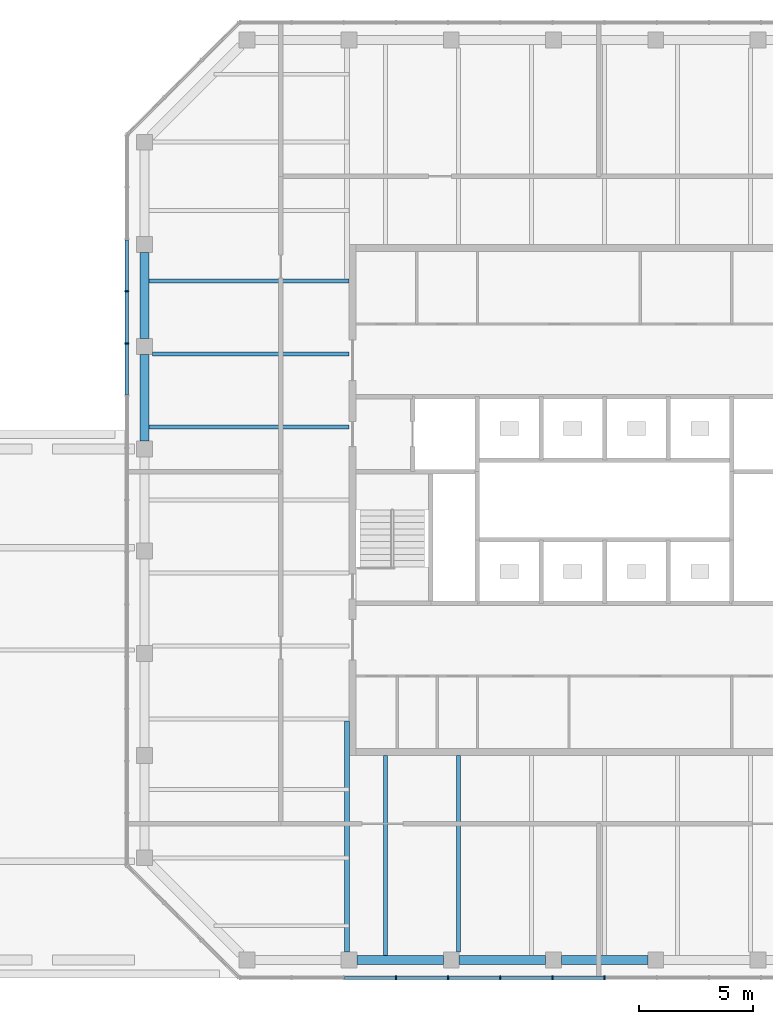
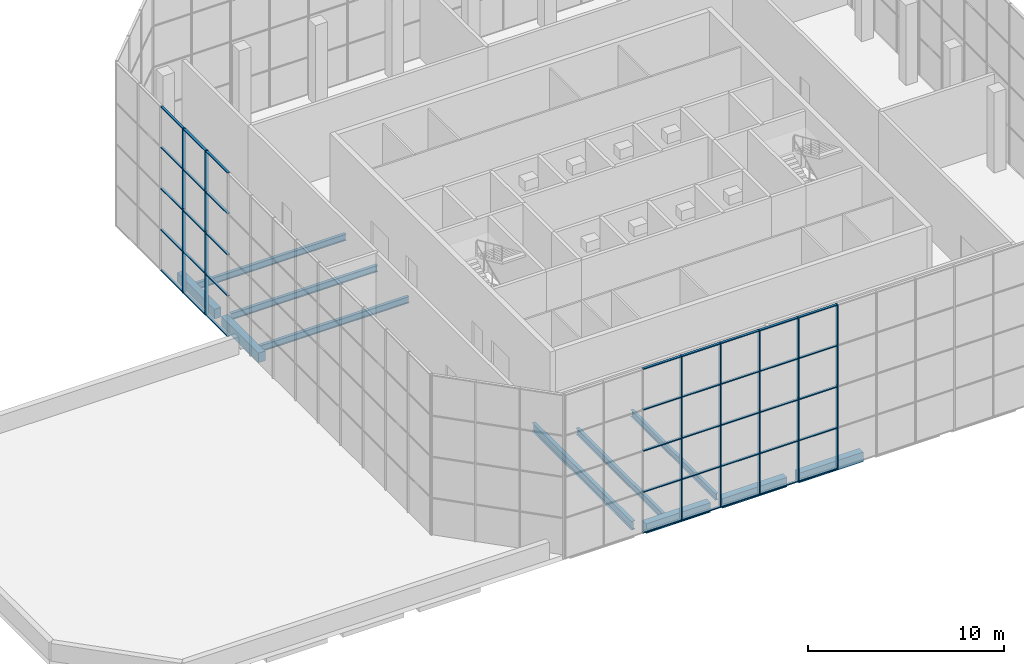
# One storey, part 4 of 19: 54 members, 11 beams, 2 elements without a shape of their own.
"""IFC4 building model written with IfcOpenShell, lengths in metres."""

from ifc_helpers import new_model, si_unit, direction, frame, origin, origin_2d, place, context, subcontext, project, spatial, rectangle, i_section, extrude, material, constituent, constituent_set, material_profile, profile_set, type_object, element, aggregate, save


model = new_model("IFC4")

# Units and contexts
model_context = context("Model", 3, precision=1e-05, world=origin(), true_north=direction((0.0, 1.0)))
body_context = subcontext(model_context, "Body", "Model", "MODEL_VIEW")
ifc_project = project(units=[si_unit("LENGTHUNIT", "METRE"), si_unit("AREAUNIT", "SQUARE_METRE"), si_unit("VOLUMEUNIT", "CUBIC_METRE"), si_unit("PLANEANGLEUNIT", "RADIAN"), si_unit("MASSUNIT", "GRAM", prefix="KILO")], contexts=[model_context])

# Site, building, storey
site_placement = place(None, origin())
site = spatial("IfcSite", under=ifc_project, at=site_placement, CompositionType="ELEMENT")
building_placement = place(site_placement, origin())
building = spatial("IfcBuilding", under=site, at=building_placement, Name="Quoin Convention Tower", CompositionType="ELEMENT")
storey_placement = place(building_placement, frame((0.0, 0.0, 263.699951171875)))
storey = spatial("IfcBuildingStorey", under=building, at=storey_placement, Name="L69", CompositionType="ELEMENT", Elevation=263.699951171875)

# Beams
ifc_material_1 = material(Name="Steel Grade 300", Category="steel")
ifc_material_profile_1 = material_profile(ifc_material_1, i_section(OverallWidth=0.177978515625, OverallDepth=0.403076171875, WebThickness=0.007568359375, FlangeThickness=0.010986328125, FilletRadius=0.011474609375, at=origin_2d()), Name="410UB53.7")
ifc_profile_set_1 = profile_set([ifc_material_profile_1], Name="Steel Grade 300")
beam_type_1 = type_object("IfcBeamType", Name="410UB53.7", PredefinedType="BEAM", material=ifc_profile_set_1)
beam_1_placement = place(storey_placement, frame((36.199951171875, 63.96435546875, -0.451416015625), z_axis=(1.0, 0.0, 0.0), x_axis=(0.0, 1.0, 0.0)))
element("IfcBeam", 1, at=beam_1_placement, inside=storey, type_object=beam_type_1, Name="bm-L69-T1W4", PredefinedType="BEAM", context=body_context, shape_type="SweptSolid", body=[
    extrude(i_section(OverallWidth=0.177978515625, OverallDepth=0.403076171875, WebThickness=0.007568359375, FlangeThickness=0.010986328125, FilletRadius=0.011474609375, at=origin_2d()), origin(), (0.0, 0.0, 1.0), 8.800048828125),
])
beam_2_placement = place(storey_placement, frame((36.35009765625, 67.1787109375, -0.451416015625), z_axis=(1.0, 0.0, 0.0), x_axis=(0.0, 1.0, 0.0)))
element("IfcBeam", 2, at=beam_2_placement, inside=storey, type_object=beam_type_1, Name="bm-L69-T1W5", PredefinedType="BEAM", context=body_context, shape_type="SweptSolid", body=[
    extrude(i_section(OverallWidth=0.177978515625, OverallDepth=0.403076171875, WebThickness=0.007568359375, FlangeThickness=0.010986328125, FilletRadius=0.011474609375, at=origin_2d()), origin(), (0.0, 0.0, 1.0), 8.64990234375),
])
for number, where, z_axis, x_axis, name in (
    (3, (36.199951171875, 70.392822265625, -0.451416015625), (1.0, 0.0, 0.0), (0.0, 1.0, 0.0), "bm-L69-T1W6"),
    (4, (46.607177734375, 40.699951171875, -0.451416015625), (0.0, 1.0, 0.0), (-1.0, 0.0, 0.0), "bm-L69-T1S0"),
):
    element("IfcBeam", number, at=place(storey_placement, frame(where, z_axis=z_axis, x_axis=x_axis)), inside=storey, type_object=beam_type_1, Name=name, PredefinedType="BEAM", context=body_context, shape_type="SweptSolid", body=[
        extrude(i_section(OverallWidth=0.177978515625, OverallDepth=0.403076171875, WebThickness=0.007568359375, FlangeThickness=0.010986328125, FilletRadius=0.011474609375, at=origin_2d()), origin(), (0.0, 0.0, 1.0), 8.800048828125),
    ])
beam_3_placement = place(storey_placement, frame((49.8212890625, 40.85009765625, -0.451416015625), z_axis=(0.0, 1.0, 0.0), x_axis=(-1.0, 0.0, 0.0)))
element("IfcBeam", 5, at=beam_3_placement, inside=storey, type_object=beam_type_1, Name="bm-L69-T1S1", PredefinedType="BEAM", context=body_context, shape_type="SweptSolid", body=[
    extrude(i_section(OverallWidth=0.177978515625, OverallDepth=0.403076171875, WebThickness=0.007568359375, FlangeThickness=0.010986328125, FilletRadius=0.011474609375, at=origin_2d()), origin(), (0.0, 0.0, 1.0), 8.64990234375),
])
ifc_material_profile_2 = material_profile(ifc_material_1, i_section(OverallWidth=0.208984375, OverallDepth=0.528076171875, WebThickness=0.009521484375, FlangeThickness=0.01318359375, FilletRadius=0.013916015625, at=origin_2d()), Name="530UB82.0")
ifc_profile_set_2 = profile_set([ifc_material_profile_2], Name="Steel Grade 300")
beam_type_2 = type_object("IfcBeamType", Name="530UB82.0", PredefinedType="BEAM", material=ifc_profile_set_2)
beam_4_placement = place(storey_placement, frame((44.904541015625, 40.85009765625, -0.513916015625), z_axis=(0.0, 1.0, 0.0), x_axis=(-1.0, 0.0, 0.0)))
element("IfcBeam", 6, at=beam_4_placement, inside=storey, type_object=beam_type_2, Name="gir-L69-T1SW", PredefinedType="BEAM", context=body_context, shape_type="SweptSolid", body=[
    extrude(i_section(OverallWidth=0.208984375, OverallDepth=0.528076171875, WebThickness=0.009521484375, FlangeThickness=0.01318359375, FilletRadius=0.013916015625, at=origin_2d()), origin(), (0.0, 0.0, 1.0), 10.16796875),
])

# Curtain wall, members
ifc_material_2 = material(Name="Aluminium", Category="aluminium")
ifc_constituent_1 = constituent(ifc_material_2, Name="Frame")
ifc_material_3 = material(Name="Insulated glass", Category="glass")
ifc_constituent_2 = constituent(ifc_material_3, Name="Glazing")
ifc_constituent_set = constituent_set(constituents=[ifc_constituent_1, ifc_constituent_2], Name="Aluminium")
curtain_wall_type = type_object("IfcCurtainWallType", Name="Lantern wall system", PredefinedType="NOTDEFINED", material=ifc_constituent_set)
curtain_wall_1_placement = place(storey_placement, origin())
curtain_wall_1 = element("IfcCurtainWall", 7, at=curtain_wall_1_placement, inside=storey, type_object=curtain_wall_type, Name="crn-LNW-36000_76500", PredefinedType="NOTDEFINED")
ifc_material_profile_3 = material_profile(ifc_material_2, rectangle(XDim=0.179931640625, YDim=0.06005859375, at=origin_2d()), Name="Lantern wall mullion 60x180")
ifc_profile_set_3 = profile_set([ifc_material_profile_3], Name="Aluminium")
member_type_1 = type_object("IfcMemberType", Name="Lantern wall mullion 60x180", PredefinedType="MULLION", material=ifc_profile_set_3)
member_1_placement = place(storey_placement, frame((35.2099609375, 69.93701171875, -0.25), z_axis=(0.0, 0.0, 1.0), x_axis=(1.0, 0.0, 0.0)))
member_1 = element("IfcMember", 8, at=member_1_placement, type_object=member_type_1, Name="CW5 mullion 4", PredefinedType="MULLION", context=body_context, shape_type="SweptSolid", body=[
    extrude(rectangle(XDim=0.179931640625, YDim=0.06005859375, at=origin_2d()), origin(), (0.0, 0.0, 1.0), 5.25),
])
member_2_placement = place(storey_placement, frame((35.2099609375, 67.64013671875, -0.25), z_axis=(0.0, 0.0, 1.0), x_axis=(1.0, 0.0, 0.0)))
member_2 = element("IfcMember", 9, at=member_2_placement, type_object=member_type_1, Name="CW5 mullion 5", PredefinedType="MULLION", context=body_context, shape_type="SweptSolid", body=[
    extrude(rectangle(XDim=0.179931640625, YDim=0.06005859375, at=origin_2d()), origin(), (0.0, 0.0, 1.0), 5.25),
])
member_3_placement = place(storey_placement, frame((35.2099609375, 69.93701171875, 5.0), z_axis=(0.0, 0.0, 1.0), x_axis=(1.0, 0.0, 0.0)))
member_3 = element("IfcMember", 10, at=member_3_placement, type_object=member_type_1, Name="CW5 mullion 4", PredefinedType="MULLION", context=body_context, shape_type="SweptSolid", body=[
    extrude(rectangle(XDim=0.179931640625, YDim=0.06005859375, at=origin_2d()), origin(), (0.0, 0.0, 1.0), 5.0),
])
member_4_placement = place(storey_placement, frame((35.2099609375, 67.64013671875, 5.0), z_axis=(0.0, 0.0, 1.0), x_axis=(1.0, 0.0, 0.0)))
member_4 = element("IfcMember", 11, at=member_4_placement, type_object=member_type_1, Name="CW5 mullion 5", PredefinedType="MULLION", context=body_context, shape_type="SweptSolid", body=[
    extrude(rectangle(XDim=0.179931640625, YDim=0.06005859375, at=origin_2d()), origin(), (0.0, 0.0, 1.0), 5.0),
])

curtain_wall_2_placement = place(storey_placement, origin())
curtain_wall_2 = element("IfcCurtainWall", 12, at=curtain_wall_2_placement, inside=storey, type_object=curtain_wall_type, Name="crn-LNW-40500_40500", PredefinedType="NOTDEFINED")
member_5_placement = place(storey_placement, frame((47.06298828125, 39.7099609375, -0.25), z_axis=(0.0, 0.0, 1.0), x_axis=(0.0, 1.0, 0.0)))
member_5 = element("IfcMember", 13, at=member_5_placement, type_object=member_type_1, Name="CW5 mullion 4", PredefinedType="MULLION", context=body_context, shape_type="SweptSolid", body=[
    extrude(rectangle(XDim=0.179931640625, YDim=0.06005859375, at=origin_2d()), origin(), (0.0, 0.0, 1.0), 5.25),
])
member_6_placement = place(storey_placement, frame((49.35986328125, 39.7099609375, -0.25), z_axis=(0.0, 0.0, 1.0), x_axis=(0.0, 1.0, 0.0)))
member_6 = element("IfcMember", 14, at=member_6_placement, type_object=member_type_1, Name="CW5 mullion 5", PredefinedType="MULLION", context=body_context, shape_type="SweptSolid", body=[
    extrude(rectangle(XDim=0.179931640625, YDim=0.06005859375, at=origin_2d()), origin(), (0.0, 0.0, 1.0), 5.25),
])
member_7_placement = place(storey_placement, frame((51.656494140625, 39.7099609375, -0.25), z_axis=(0.0, 0.0, 1.0), x_axis=(0.0, 1.0, 0.0)))
member_7 = element("IfcMember", 15, at=member_7_placement, type_object=member_type_1, Name="CW5 mullion 6", PredefinedType="MULLION", context=body_context, shape_type="SweptSolid", body=[
    extrude(rectangle(XDim=0.179931640625, YDim=0.06005859375, at=origin_2d()), origin(), (0.0, 0.0, 1.0), 5.25),
])
member_8_placement = place(storey_placement, frame((53.953369140625, 39.7099609375, -0.25), z_axis=(0.0, 0.0, 1.0), x_axis=(0.0, 1.0, 0.0)))
member_8 = element("IfcMember", 16, at=member_8_placement, type_object=member_type_1, Name="CW5 mullion 7", PredefinedType="MULLION", context=body_context, shape_type="SweptSolid", body=[
    extrude(rectangle(XDim=0.179931640625, YDim=0.06005859375, at=origin_2d()), origin(), (0.0, 0.0, 1.0), 5.25),
])
member_9_placement = place(storey_placement, frame((56.25, 39.7099609375, -0.25), z_axis=(0.0, 0.0, 1.0), x_axis=(0.0, 1.0, 0.0)))
member_9 = element("IfcMember", 17, at=member_9_placement, type_object=member_type_1, Name="CW5 mullion 8", PredefinedType="MULLION", context=body_context, shape_type="SweptSolid", body=[
    extrude(rectangle(XDim=0.179931640625, YDim=0.06005859375, at=origin_2d()), origin(), (0.0, 0.0, 1.0), 5.25),
])
member_10_placement = place(storey_placement, frame((47.06298828125, 39.7099609375, 5.0), z_axis=(0.0, 0.0, 1.0), x_axis=(0.0, 1.0, 0.0)))
member_10 = element("IfcMember", 18, at=member_10_placement, type_object=member_type_1, Name="CW5 mullion 4", PredefinedType="MULLION", context=body_context, shape_type="SweptSolid", body=[
    extrude(rectangle(XDim=0.179931640625, YDim=0.06005859375, at=origin_2d()), origin(), (0.0, 0.0, 1.0), 5.0),
])
member_11_placement = place(storey_placement, frame((49.35986328125, 39.7099609375, 5.0), z_axis=(0.0, 0.0, 1.0), x_axis=(0.0, 1.0, 0.0)))
member_11 = element("IfcMember", 19, at=member_11_placement, type_object=member_type_1, Name="CW5 mullion 5", PredefinedType="MULLION", context=body_context, shape_type="SweptSolid", body=[
    extrude(rectangle(XDim=0.179931640625, YDim=0.06005859375, at=origin_2d()), origin(), (0.0, 0.0, 1.0), 5.0),
])
member_12_placement = place(storey_placement, frame((51.656494140625, 39.7099609375, 5.0), z_axis=(0.0, 0.0, 1.0), x_axis=(0.0, 1.0, 0.0)))
member_12 = element("IfcMember", 20, at=member_12_placement, type_object=member_type_1, Name="CW5 mullion 6", PredefinedType="MULLION", context=body_context, shape_type="SweptSolid", body=[
    extrude(rectangle(XDim=0.179931640625, YDim=0.06005859375, at=origin_2d()), origin(), (0.0, 0.0, 1.0), 5.0),
])
member_13_placement = place(storey_placement, frame((53.953369140625, 39.7099609375, 5.0), z_axis=(0.0, 0.0, 1.0), x_axis=(0.0, 1.0, 0.0)))
member_13 = element("IfcMember", 21, at=member_13_placement, type_object=member_type_1, Name="CW5 mullion 7", PredefinedType="MULLION", context=body_context, shape_type="SweptSolid", body=[
    extrude(rectangle(XDim=0.179931640625, YDim=0.06005859375, at=origin_2d()), origin(), (0.0, 0.0, 1.0), 5.0),
])
member_14_placement = place(storey_placement, frame((56.25, 39.7099609375, 5.0), z_axis=(0.0, 0.0, 1.0), x_axis=(0.0, 1.0, 0.0)))
member_14 = element("IfcMember", 22, at=member_14_placement, type_object=member_type_1, Name="CW5 mullion 8", PredefinedType="MULLION", context=body_context, shape_type="SweptSolid", body=[
    extrude(rectangle(XDim=0.179931640625, YDim=0.06005859375, at=origin_2d()), origin(), (0.0, 0.0, 1.0), 5.0),
])

# Member
ifc_material_profile_4 = material_profile(ifc_material_2, rectangle(XDim=0.139892578125, YDim=0.06005859375, at=origin_2d()), Name="Lantern wall transom 60x140")
ifc_profile_set_4 = profile_set([ifc_material_profile_4], Name="Aluminium")
member_type_2 = type_object("IfcMemberType", Name="Lantern wall transom 60x140", PredefinedType="USERDEFINED", material=ifc_profile_set_4)
member_15_placement = place(storey_placement, frame((35.2099609375, 72.20361328125, -0.219970703125), z_axis=(0.0, -1.0, 0.0), x_axis=(1.0, 0.0, 0.0)))
member_15 = element("IfcMember", 23, at=member_15_placement, type_object=member_type_2, Name="CW5 transom 3.1", ObjectType="TRANSOM", PredefinedType="USERDEFINED", context=body_context, shape_type="SweptSolid", body=[
    extrude(rectangle(XDim=0.139892578125, YDim=0.06005859375, at=origin_2d()), origin(), (0.0, 0.0, 1.0), 2.236572265625),
])

member_16_placement = place(storey_placement, frame((35.2099609375, 72.20361328125, 2.3125), z_axis=(0.0, -1.0, 0.0), x_axis=(1.0, 0.0, 0.0)))
member_16 = element("IfcMember", 24, at=member_16_placement, type_object=member_type_2, Name="CW5 transom 3.2", ObjectType="TRANSOM", PredefinedType="USERDEFINED", context=body_context, shape_type="SweptSolid", body=[
    extrude(rectangle(XDim=0.139892578125, YDim=0.06005859375, at=origin_2d()), origin(), (0.0, 0.0, 1.0), 2.236572265625),
])

member_17_placement = place(storey_placement, frame((35.2099609375, 72.20361328125, 4.875), z_axis=(0.0, -1.0, 0.0), x_axis=(1.0, 0.0, 0.0)))
member_17 = element("IfcMember", 25, at=member_17_placement, type_object=member_type_2, Name="CW5 transom 3.3", ObjectType="TRANSOM", PredefinedType="USERDEFINED", context=body_context, shape_type="SweptSolid", body=[
    extrude(rectangle(XDim=0.139892578125, YDim=0.06005859375, at=origin_2d()), origin(), (0.0, 0.0, 1.0), 2.236572265625),
])

member_18_placement = place(storey_placement, frame((35.2099609375, 72.20361328125, 7.4375), z_axis=(0.0, -1.0, 0.0), x_axis=(1.0, 0.0, 0.0)))
member_18 = element("IfcMember", 26, at=member_18_placement, type_object=member_type_2, Name="CW5 transom 3.4", ObjectType="TRANSOM", PredefinedType="USERDEFINED", context=body_context, shape_type="SweptSolid", body=[
    extrude(rectangle(XDim=0.139892578125, YDim=0.06005859375, at=origin_2d()), origin(), (0.0, 0.0, 1.0), 2.236572265625),
])

member_19_placement = place(storey_placement, frame((35.2099609375, 72.20361328125, 9.969970703125), z_axis=(0.0, -1.0, 0.0), x_axis=(1.0, 0.0, 0.0)))
member_19 = element("IfcMember", 27, at=member_19_placement, type_object=member_type_2, Name="CW5 transom 3.5", ObjectType="TRANSOM", PredefinedType="USERDEFINED", context=body_context, shape_type="SweptSolid", body=[
    extrude(rectangle(XDim=0.139892578125, YDim=0.06005859375, at=origin_2d()), origin(), (0.0, 0.0, 1.0), 2.236572265625),
])

member_20_placement = place(storey_placement, frame((35.2099609375, 69.906982421875, -0.219970703125), z_axis=(0.0, -1.0, 0.0), x_axis=(1.0, 0.0, 0.0)))
member_20 = element("IfcMember", 28, at=member_20_placement, type_object=member_type_2, Name="CW5 transom 4.1", ObjectType="TRANSOM", PredefinedType="USERDEFINED", context=body_context, shape_type="SweptSolid", body=[
    extrude(rectangle(XDim=0.139892578125, YDim=0.06005859375, at=origin_2d()), origin(), (0.0, 0.0, 1.0), 2.23681640625),
])

member_21_placement = place(storey_placement, frame((35.2099609375, 69.906982421875, 2.3125), z_axis=(0.0, -1.0, 0.0), x_axis=(1.0, 0.0, 0.0)))
member_21 = element("IfcMember", 29, at=member_21_placement, type_object=member_type_2, Name="CW5 transom 4.2", ObjectType="TRANSOM", PredefinedType="USERDEFINED", context=body_context, shape_type="SweptSolid", body=[
    extrude(rectangle(XDim=0.139892578125, YDim=0.06005859375, at=origin_2d()), origin(), (0.0, 0.0, 1.0), 2.23681640625),
])

member_22_placement = place(storey_placement, frame((35.2099609375, 69.906982421875, 4.875), z_axis=(0.0, -1.0, 0.0), x_axis=(1.0, 0.0, 0.0)))
member_22 = element("IfcMember", 30, at=member_22_placement, type_object=member_type_2, Name="CW5 transom 4.3", ObjectType="TRANSOM", PredefinedType="USERDEFINED", context=body_context, shape_type="SweptSolid", body=[
    extrude(rectangle(XDim=0.139892578125, YDim=0.06005859375, at=origin_2d()), origin(), (0.0, 0.0, 1.0), 2.23681640625),
])

member_23_placement = place(storey_placement, frame((35.2099609375, 69.906982421875, 7.4375), z_axis=(0.0, -1.0, 0.0), x_axis=(1.0, 0.0, 0.0)))
member_23 = element("IfcMember", 31, at=member_23_placement, type_object=member_type_2, Name="CW5 transom 4.4", ObjectType="TRANSOM", PredefinedType="USERDEFINED", context=body_context, shape_type="SweptSolid", body=[
    extrude(rectangle(XDim=0.139892578125, YDim=0.06005859375, at=origin_2d()), origin(), (0.0, 0.0, 1.0), 2.23681640625),
])

member_24_placement = place(storey_placement, frame((35.2099609375, 69.906982421875, 9.969970703125), z_axis=(0.0, -1.0, 0.0), x_axis=(1.0, 0.0, 0.0)))
member_24 = element("IfcMember", 32, at=member_24_placement, type_object=member_type_2, Name="CW5 transom 4.5", ObjectType="TRANSOM", PredefinedType="USERDEFINED", context=body_context, shape_type="SweptSolid", body=[
    extrude(rectangle(XDim=0.139892578125, YDim=0.06005859375, at=origin_2d()), origin(), (0.0, 0.0, 1.0), 2.23681640625),
])

member_25_placement = place(storey_placement, frame((35.2099609375, 67.610107421875, -0.219970703125), z_axis=(0.0, -1.0, 0.0), x_axis=(1.0, 0.0, 0.0)))
member_25 = element("IfcMember", 33, at=member_25_placement, type_object=member_type_2, Name="CW5 transom 5.1", ObjectType="TRANSOM", PredefinedType="USERDEFINED", context=body_context, shape_type="SweptSolid", body=[
    extrude(rectangle(XDim=0.139892578125, YDim=0.06005859375, at=origin_2d()), origin(), (0.0, 0.0, 1.0), 2.236572265625),
])

member_26_placement = place(storey_placement, frame((35.2099609375, 67.610107421875, 2.3125), z_axis=(0.0, -1.0, 0.0), x_axis=(1.0, 0.0, 0.0)))
member_26 = element("IfcMember", 34, at=member_26_placement, type_object=member_type_2, Name="CW5 transom 5.2", ObjectType="TRANSOM", PredefinedType="USERDEFINED", context=body_context, shape_type="SweptSolid", body=[
    extrude(rectangle(XDim=0.139892578125, YDim=0.06005859375, at=origin_2d()), origin(), (0.0, 0.0, 1.0), 2.236572265625),
])

member_27_placement = place(storey_placement, frame((35.2099609375, 67.610107421875, 4.875), z_axis=(0.0, -1.0, 0.0), x_axis=(1.0, 0.0, 0.0)))
member_27 = element("IfcMember", 35, at=member_27_placement, type_object=member_type_2, Name="CW5 transom 5.3", ObjectType="TRANSOM", PredefinedType="USERDEFINED", context=body_context, shape_type="SweptSolid", body=[
    extrude(rectangle(XDim=0.139892578125, YDim=0.06005859375, at=origin_2d()), origin(), (0.0, 0.0, 1.0), 2.236572265625),
])

member_28_placement = place(storey_placement, frame((35.2099609375, 67.610107421875, 7.4375), z_axis=(0.0, -1.0, 0.0), x_axis=(1.0, 0.0, 0.0)))
member_28 = element("IfcMember", 36, at=member_28_placement, type_object=member_type_2, Name="CW5 transom 5.4", ObjectType="TRANSOM", PredefinedType="USERDEFINED", context=body_context, shape_type="SweptSolid", body=[
    extrude(rectangle(XDim=0.139892578125, YDim=0.06005859375, at=origin_2d()), origin(), (0.0, 0.0, 1.0), 2.236572265625),
])

member_29_placement = place(storey_placement, frame((35.2099609375, 67.610107421875, 9.969970703125), z_axis=(0.0, -1.0, 0.0), x_axis=(1.0, 0.0, 0.0)))
member_29 = element("IfcMember", 37, at=member_29_placement, type_object=member_type_2, Name="CW5 transom 5.5", ObjectType="TRANSOM", PredefinedType="USERDEFINED", context=body_context, shape_type="SweptSolid", body=[
    extrude(rectangle(XDim=0.139892578125, YDim=0.06005859375, at=origin_2d()), origin(), (0.0, 0.0, 1.0), 2.236572265625),
])

aggregate(curtain_wall_1, [member_1, member_2, member_15, member_16, member_17, member_18, member_19, member_20, member_21, member_22, member_23, member_24, member_25, member_26, member_27, member_28, member_29, member_3, member_4])

member_30_placement = place(storey_placement, frame((44.79638671875, 39.7099609375, -0.219970703125), z_axis=(1.0, 0.0, 0.0), x_axis=(0.0, 1.0, 0.0)))
member_30 = element("IfcMember", 38, at=member_30_placement, type_object=member_type_2, Name="CW5 transom 3.1", ObjectType="TRANSOM", PredefinedType="USERDEFINED", context=body_context, shape_type="SweptSolid", body=[
    extrude(rectangle(XDim=0.139892578125, YDim=0.06005859375, at=origin_2d()), origin(), (0.0, 0.0, 1.0), 2.236572265625),
])

member_31_placement = place(storey_placement, frame((44.79638671875, 39.7099609375, 2.3125), z_axis=(1.0, 0.0, 0.0), x_axis=(0.0, 1.0, 0.0)))
member_31 = element("IfcMember", 39, at=member_31_placement, type_object=member_type_2, Name="CW5 transom 3.2", ObjectType="TRANSOM", PredefinedType="USERDEFINED", context=body_context, shape_type="SweptSolid", body=[
    extrude(rectangle(XDim=0.139892578125, YDim=0.06005859375, at=origin_2d()), origin(), (0.0, 0.0, 1.0), 2.236572265625),
])

member_32_placement = place(storey_placement, frame((44.79638671875, 39.7099609375, 4.875), z_axis=(1.0, 0.0, 0.0), x_axis=(0.0, 1.0, 0.0)))
member_32 = element("IfcMember", 40, at=member_32_placement, type_object=member_type_2, Name="CW5 transom 3.3", ObjectType="TRANSOM", PredefinedType="USERDEFINED", context=body_context, shape_type="SweptSolid", body=[
    extrude(rectangle(XDim=0.139892578125, YDim=0.06005859375, at=origin_2d()), origin(), (0.0, 0.0, 1.0), 2.236572265625),
])

member_33_placement = place(storey_placement, frame((44.79638671875, 39.7099609375, 7.4375), z_axis=(1.0, 0.0, 0.0), x_axis=(0.0, 1.0, 0.0)))
member_33 = element("IfcMember", 41, at=member_33_placement, type_object=member_type_2, Name="CW5 transom 3.4", ObjectType="TRANSOM", PredefinedType="USERDEFINED", context=body_context, shape_type="SweptSolid", body=[
    extrude(rectangle(XDim=0.139892578125, YDim=0.06005859375, at=origin_2d()), origin(), (0.0, 0.0, 1.0), 2.236572265625),
])

member_34_placement = place(storey_placement, frame((44.79638671875, 39.7099609375, 9.969970703125), z_axis=(1.0, 0.0, 0.0), x_axis=(0.0, 1.0, 0.0)))
member_34 = element("IfcMember", 42, at=member_34_placement, type_object=member_type_2, Name="CW5 transom 3.5", ObjectType="TRANSOM", PredefinedType="USERDEFINED", context=body_context, shape_type="SweptSolid", body=[
    extrude(rectangle(XDim=0.139892578125, YDim=0.06005859375, at=origin_2d()), origin(), (0.0, 0.0, 1.0), 2.236572265625),
])

member_35_placement = place(storey_placement, frame((47.093017578125, 39.7099609375, -0.219970703125), z_axis=(1.0, 0.0, 0.0), x_axis=(0.0, 1.0, 0.0)))
member_35 = element("IfcMember", 43, at=member_35_placement, type_object=member_type_2, Name="CW5 transom 4.1", ObjectType="TRANSOM", PredefinedType="USERDEFINED", context=body_context, shape_type="SweptSolid", body=[
    extrude(rectangle(XDim=0.139892578125, YDim=0.06005859375, at=origin_2d()), origin(), (0.0, 0.0, 1.0), 2.23681640625),
])

member_36_placement = place(storey_placement, frame((47.093017578125, 39.7099609375, 2.3125), z_axis=(1.0, 0.0, 0.0), x_axis=(0.0, 1.0, 0.0)))
member_36 = element("IfcMember", 44, at=member_36_placement, type_object=member_type_2, Name="CW5 transom 4.2", ObjectType="TRANSOM", PredefinedType="USERDEFINED", context=body_context, shape_type="SweptSolid", body=[
    extrude(rectangle(XDim=0.139892578125, YDim=0.06005859375, at=origin_2d()), origin(), (0.0, 0.0, 1.0), 2.23681640625),
])

member_37_placement = place(storey_placement, frame((47.093017578125, 39.7099609375, 4.875), z_axis=(1.0, 0.0, 0.0), x_axis=(0.0, 1.0, 0.0)))
member_37 = element("IfcMember", 45, at=member_37_placement, type_object=member_type_2, Name="CW5 transom 4.3", ObjectType="TRANSOM", PredefinedType="USERDEFINED", context=body_context, shape_type="SweptSolid", body=[
    extrude(rectangle(XDim=0.139892578125, YDim=0.06005859375, at=origin_2d()), origin(), (0.0, 0.0, 1.0), 2.23681640625),
])

member_38_placement = place(storey_placement, frame((47.093017578125, 39.7099609375, 7.4375), z_axis=(1.0, 0.0, 0.0), x_axis=(0.0, 1.0, 0.0)))
member_38 = element("IfcMember", 46, at=member_38_placement, type_object=member_type_2, Name="CW5 transom 4.4", ObjectType="TRANSOM", PredefinedType="USERDEFINED", context=body_context, shape_type="SweptSolid", body=[
    extrude(rectangle(XDim=0.139892578125, YDim=0.06005859375, at=origin_2d()), origin(), (0.0, 0.0, 1.0), 2.23681640625),
])

member_39_placement = place(storey_placement, frame((47.093017578125, 39.7099609375, 9.969970703125), z_axis=(1.0, 0.0, 0.0), x_axis=(0.0, 1.0, 0.0)))
member_39 = element("IfcMember", 47, at=member_39_placement, type_object=member_type_2, Name="CW5 transom 4.5", ObjectType="TRANSOM", PredefinedType="USERDEFINED", context=body_context, shape_type="SweptSolid", body=[
    extrude(rectangle(XDim=0.139892578125, YDim=0.06005859375, at=origin_2d()), origin(), (0.0, 0.0, 1.0), 2.23681640625),
])

member_40_placement = place(storey_placement, frame((49.389892578125, 39.7099609375, -0.219970703125), z_axis=(1.0, 0.0, 0.0), x_axis=(0.0, 1.0, 0.0)))
member_40 = element("IfcMember", 48, at=member_40_placement, type_object=member_type_2, Name="CW5 transom 5.1", ObjectType="TRANSOM", PredefinedType="USERDEFINED", context=body_context, shape_type="SweptSolid", body=[
    extrude(rectangle(XDim=0.139892578125, YDim=0.06005859375, at=origin_2d()), origin(), (0.0, 0.0, 1.0), 2.236572265625),
])

member_41_placement = place(storey_placement, frame((49.389892578125, 39.7099609375, 2.3125), z_axis=(1.0, 0.0, 0.0), x_axis=(0.0, 1.0, 0.0)))
member_41 = element("IfcMember", 49, at=member_41_placement, type_object=member_type_2, Name="CW5 transom 5.2", ObjectType="TRANSOM", PredefinedType="USERDEFINED", context=body_context, shape_type="SweptSolid", body=[
    extrude(rectangle(XDim=0.139892578125, YDim=0.06005859375, at=origin_2d()), origin(), (0.0, 0.0, 1.0), 2.236572265625),
])

member_42_placement = place(storey_placement, frame((49.389892578125, 39.7099609375, 4.875), z_axis=(1.0, 0.0, 0.0), x_axis=(0.0, 1.0, 0.0)))
member_42 = element("IfcMember", 50, at=member_42_placement, type_object=member_type_2, Name="CW5 transom 5.3", ObjectType="TRANSOM", PredefinedType="USERDEFINED", context=body_context, shape_type="SweptSolid", body=[
    extrude(rectangle(XDim=0.139892578125, YDim=0.06005859375, at=origin_2d()), origin(), (0.0, 0.0, 1.0), 2.236572265625),
])

member_43_placement = place(storey_placement, frame((49.389892578125, 39.7099609375, 7.4375), z_axis=(1.0, 0.0, 0.0), x_axis=(0.0, 1.0, 0.0)))
member_43 = element("IfcMember", 51, at=member_43_placement, type_object=member_type_2, Name="CW5 transom 5.4", ObjectType="TRANSOM", PredefinedType="USERDEFINED", context=body_context, shape_type="SweptSolid", body=[
    extrude(rectangle(XDim=0.139892578125, YDim=0.06005859375, at=origin_2d()), origin(), (0.0, 0.0, 1.0), 2.236572265625),
])

member_44_placement = place(storey_placement, frame((49.389892578125, 39.7099609375, 9.969970703125), z_axis=(1.0, 0.0, 0.0), x_axis=(0.0, 1.0, 0.0)))
member_44 = element("IfcMember", 52, at=member_44_placement, type_object=member_type_2, Name="CW5 transom 5.5", ObjectType="TRANSOM", PredefinedType="USERDEFINED", context=body_context, shape_type="SweptSolid", body=[
    extrude(rectangle(XDim=0.139892578125, YDim=0.06005859375, at=origin_2d()), origin(), (0.0, 0.0, 1.0), 2.236572265625),
])

member_45_placement = place(storey_placement, frame((51.6865234375, 39.7099609375, -0.219970703125), z_axis=(1.0, 0.0, 0.0), x_axis=(0.0, 1.0, 0.0)))
member_45 = element("IfcMember", 53, at=member_45_placement, type_object=member_type_2, Name="CW5 transom 6.1", ObjectType="TRANSOM", PredefinedType="USERDEFINED", context=body_context, shape_type="SweptSolid", body=[
    extrude(rectangle(XDim=0.139892578125, YDim=0.06005859375, at=origin_2d()), origin(), (0.0, 0.0, 1.0), 2.23681640625),
])

member_46_placement = place(storey_placement, frame((51.6865234375, 39.7099609375, 2.3125), z_axis=(1.0, 0.0, 0.0), x_axis=(0.0, 1.0, 0.0)))
member_46 = element("IfcMember", 54, at=member_46_placement, type_object=member_type_2, Name="CW5 transom 6.2", ObjectType="TRANSOM", PredefinedType="USERDEFINED", context=body_context, shape_type="SweptSolid", body=[
    extrude(rectangle(XDim=0.139892578125, YDim=0.06005859375, at=origin_2d()), origin(), (0.0, 0.0, 1.0), 2.23681640625),
])

member_47_placement = place(storey_placement, frame((51.6865234375, 39.7099609375, 4.875), z_axis=(1.0, 0.0, 0.0), x_axis=(0.0, 1.0, 0.0)))
member_47 = element("IfcMember", 55, at=member_47_placement, type_object=member_type_2, Name="CW5 transom 6.3", ObjectType="TRANSOM", PredefinedType="USERDEFINED", context=body_context, shape_type="SweptSolid", body=[
    extrude(rectangle(XDim=0.139892578125, YDim=0.06005859375, at=origin_2d()), origin(), (0.0, 0.0, 1.0), 2.23681640625),
])

member_48_placement = place(storey_placement, frame((51.6865234375, 39.7099609375, 7.4375), z_axis=(1.0, 0.0, 0.0), x_axis=(0.0, 1.0, 0.0)))
member_48 = element("IfcMember", 56, at=member_48_placement, type_object=member_type_2, Name="CW5 transom 6.4", ObjectType="TRANSOM", PredefinedType="USERDEFINED", context=body_context, shape_type="SweptSolid", body=[
    extrude(rectangle(XDim=0.139892578125, YDim=0.06005859375, at=origin_2d()), origin(), (0.0, 0.0, 1.0), 2.23681640625),
])

member_49_placement = place(storey_placement, frame((51.6865234375, 39.7099609375, 9.969970703125), z_axis=(1.0, 0.0, 0.0), x_axis=(0.0, 1.0, 0.0)))
member_49 = element("IfcMember", 57, at=member_49_placement, type_object=member_type_2, Name="CW5 transom 6.5", ObjectType="TRANSOM", PredefinedType="USERDEFINED", context=body_context, shape_type="SweptSolid", body=[
    extrude(rectangle(XDim=0.139892578125, YDim=0.06005859375, at=origin_2d()), origin(), (0.0, 0.0, 1.0), 2.23681640625),
])

member_50_placement = place(storey_placement, frame((53.983154296875, 39.7099609375, -0.219970703125), z_axis=(1.0, 0.0, 0.0), x_axis=(0.0, 1.0, 0.0)))
member_50 = element("IfcMember", 58, at=member_50_placement, type_object=member_type_2, Name="CW5 transom 7.1", ObjectType="TRANSOM", PredefinedType="USERDEFINED", context=body_context, shape_type="SweptSolid", body=[
    extrude(rectangle(XDim=0.139892578125, YDim=0.06005859375, at=origin_2d()), origin(), (0.0, 0.0, 1.0), 2.23681640625),
])

member_51_placement = place(storey_placement, frame((53.983154296875, 39.7099609375, 2.3125), z_axis=(1.0, 0.0, 0.0), x_axis=(0.0, 1.0, 0.0)))
member_51 = element("IfcMember", 59, at=member_51_placement, type_object=member_type_2, Name="CW5 transom 7.2", ObjectType="TRANSOM", PredefinedType="USERDEFINED", context=body_context, shape_type="SweptSolid", body=[
    extrude(rectangle(XDim=0.139892578125, YDim=0.06005859375, at=origin_2d()), origin(), (0.0, 0.0, 1.0), 2.23681640625),
])

member_52_placement = place(storey_placement, frame((53.983154296875, 39.7099609375, 4.875), z_axis=(1.0, 0.0, 0.0), x_axis=(0.0, 1.0, 0.0)))
member_52 = element("IfcMember", 60, at=member_52_placement, type_object=member_type_2, Name="CW5 transom 7.3", ObjectType="TRANSOM", PredefinedType="USERDEFINED", context=body_context, shape_type="SweptSolid", body=[
    extrude(rectangle(XDim=0.139892578125, YDim=0.06005859375, at=origin_2d()), origin(), (0.0, 0.0, 1.0), 2.23681640625),
])

member_53_placement = place(storey_placement, frame((53.983154296875, 39.7099609375, 7.4375), z_axis=(1.0, 0.0, 0.0), x_axis=(0.0, 1.0, 0.0)))
member_53 = element("IfcMember", 61, at=member_53_placement, type_object=member_type_2, Name="CW5 transom 7.4", ObjectType="TRANSOM", PredefinedType="USERDEFINED", context=body_context, shape_type="SweptSolid", body=[
    extrude(rectangle(XDim=0.139892578125, YDim=0.06005859375, at=origin_2d()), origin(), (0.0, 0.0, 1.0), 2.23681640625),
])

member_54_placement = place(storey_placement, frame((53.983154296875, 39.7099609375, 9.969970703125), z_axis=(1.0, 0.0, 0.0), x_axis=(0.0, 1.0, 0.0)))
member_54 = element("IfcMember", 62, at=member_54_placement, type_object=member_type_2, Name="CW5 transom 7.5", ObjectType="TRANSOM", PredefinedType="USERDEFINED", context=body_context, shape_type="SweptSolid", body=[
    extrude(rectangle(XDim=0.139892578125, YDim=0.06005859375, at=origin_2d()), origin(), (0.0, 0.0, 1.0), 2.23681640625),
])

aggregate(curtain_wall_2, [member_5, member_6, member_7, member_8, member_9, member_30, member_31, member_32, member_33, member_34, member_35, member_36, member_37, member_38, member_39, member_40, member_41, member_42, member_43, member_44, member_45, member_46, member_47, member_48, member_49, member_50, member_51, member_52, member_53, member_54, member_10, member_11, member_12, member_13, member_14])

# Beams
ifc_material_4 = material(Name="Concrete C40", Category="concrete")
ifc_material_profile_5 = material_profile(ifc_material_4, rectangle(XDim=0.39990234375, YDim=0.60009765625, at=origin_2d()), Name="RC 400x600")
ifc_profile_set_5 = profile_set([ifc_material_profile_5], Name="Concrete C40")
beam_type_3 = type_object("IfcBeamType", Name="RC 400x600 C40", PredefinedType="SPANDREL", material=ifc_profile_set_5)
for number, where, z_axis, x_axis, name in (
    (63, (36.0, 71.64990234375, -0.550048828125), (0.0, -1.0, 0.0), (1.0, 0.0, 0.0), "spd-L69-36000_72000-36000_67500"),
    (64, (36.0, 67.14990234375, -0.550048828125), (0.0, -1.0, 0.0), (1.0, 0.0, 0.0), "spd-L69-36000_67500-36000_63000"),
    (65, (45.35009765625, 40.5, -0.550048828125), (1.0, 0.0, 0.0), (0.0, 1.0, 0.0), "spd-L69-45000_40500-49500_40500"),
    (66, (49.85009765625, 40.5, -0.550048828125), (1.0, 0.0, 0.0), (0.0, 1.0, 0.0), "spd-L69-49500_40500-54000_40500"),
    (67, (54.35009765625, 40.5, -0.550048828125), (1.0, 0.0, 0.0), (0.0, 1.0, 0.0), "spd-L69-54000_40500-58500_40500"),
):
    element("IfcBeam", number, at=place(storey_placement, frame(where, z_axis=z_axis, x_axis=x_axis)), inside=storey, type_object=beam_type_3, Name=name, PredefinedType="SPANDREL", context=body_context, shape_type="SweptSolid", body=[
        extrude(rectangle(XDim=0.39990234375, YDim=0.60009765625, at=origin_2d()), origin(), (0.0, 0.0, 1.0), 3.7998046875),
    ])

save(model, "model.ifc")
